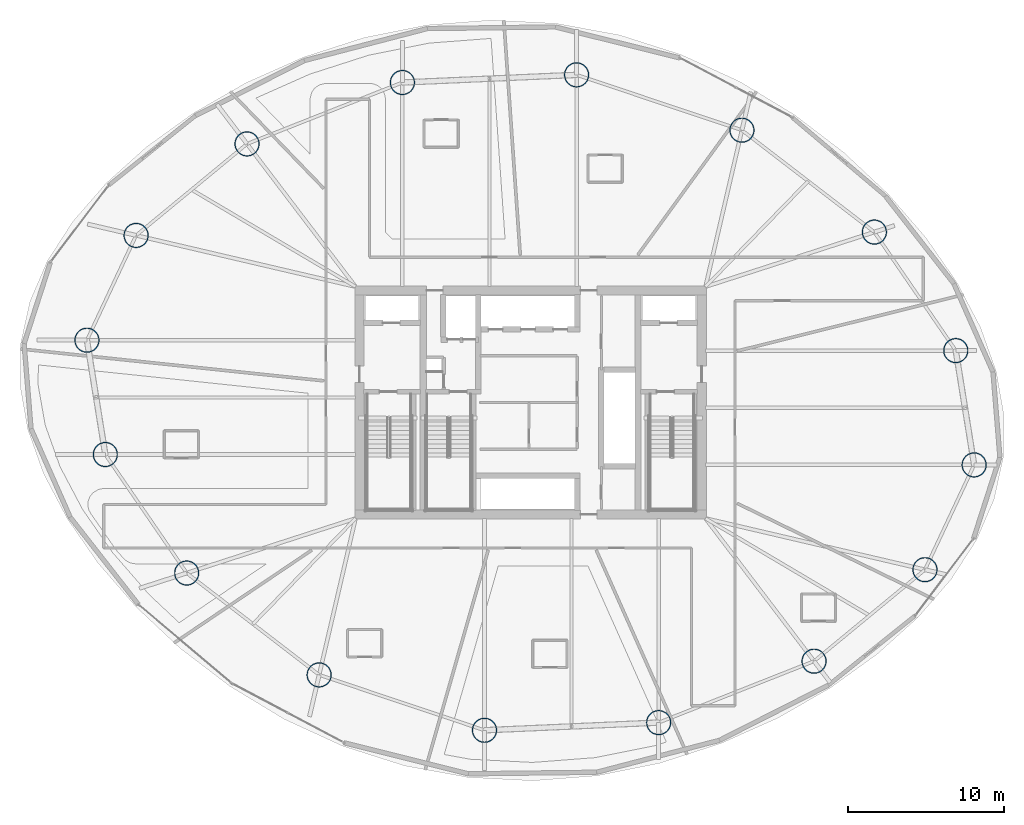
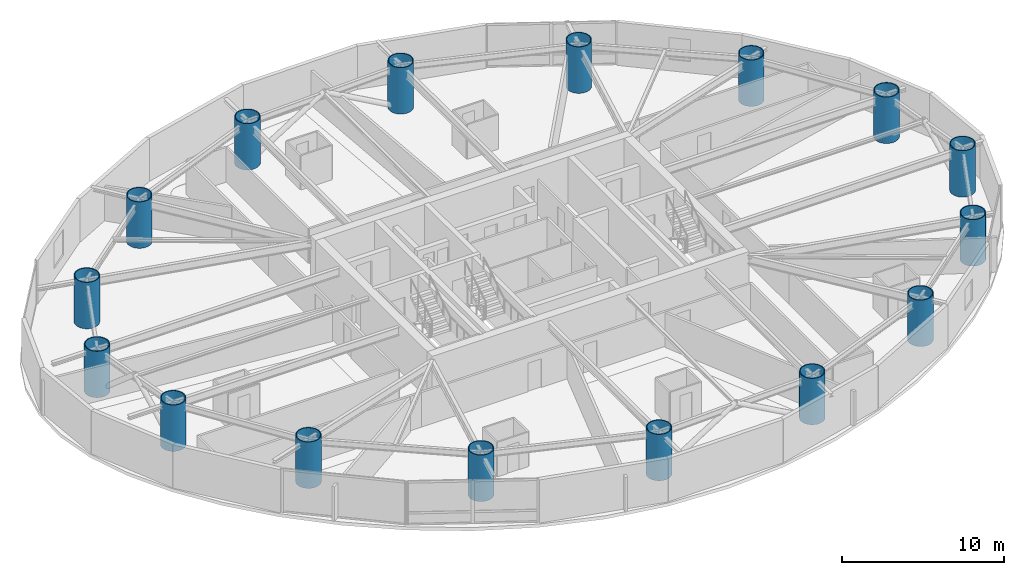
# One storey, part 1 of 19: 16 columns.
"""IFC4 building model written with IfcOpenShell, lengths in metres."""

from ifc_helpers import new_model, si_unit, direction, frame, origin, origin_2d, place, context, subcontext, project, spatial, hollow_circle, extrude, material, material_profile, profile_set, type_object, element, save


model = new_model("IFC4")

# Units and contexts
model_context = context("Model", 3, precision=1e-05, world=origin(), true_north=direction((0.0, 1.0)))
body_context = subcontext(model_context, "Body", "Model", "MODEL_VIEW")
ifc_project = project(units=[si_unit("LENGTHUNIT", "METRE"), si_unit("AREAUNIT", "SQUARE_METRE"), si_unit("VOLUMEUNIT", "CUBIC_METRE"), si_unit("PLANEANGLEUNIT", "RADIAN"), si_unit("MASSUNIT", "GRAM", prefix="KILO")], contexts=[model_context])

# Site, building, storey
site_placement = place(None, origin())
site = spatial("IfcSite", under=ifc_project, at=site_placement, CompositionType="ELEMENT")
building_placement = place(site_placement, origin())
building = spatial("IfcBuilding", under=site, at=building_placement, Name="Bramvorn Convention Spire", CompositionType="ELEMENT")
storey_placement = place(building_placement, frame((0.0, 0.0, 62.39990234375)))
storey = spatial("IfcBuildingStorey", under=building, at=storey_placement, Name="L13", CompositionType="ELEMENT", Elevation=62.39990234375)

# Columns
ifc_material = material(Name="Steel CSA G40.21 Grade 350 (350W)", Category="steel")
ifc_material_profile = material_profile(ifc_material, hollow_circle(Radius=0.800048828125, WallThickness=0.06005859375, at=origin_2d()))
ifc_profile_set = profile_set([ifc_material_profile], Name="Steel CSA G40.21 Grade 350 (350W) - CFT1600X60")
column_type = type_object("IfcColumnType", Name="COL-CFT1600X60", PredefinedType="COLUMN", material=ifc_profile_set)
for number, where, z_axis, x_axis, name in (
    (1, (66.519775390625, 21.99169921875, 0.0), (0.0, 0.0, 1.0), (1.0, 0.0, 0.0), "L13 composite CFT mega-column MC01"),
    (2, (65.338623046875, 29.340087890625, 0.0), (0.0, 0.0, 1.0), (1.0, 0.0, 0.0), "L13 composite CFT mega-column MC02"),
    (3, (60.105224609375, 36.960205078125, 0.0), (0.0, 0.0, 1.0), (1.0, 0.0, 0.0), "L13 composite CFT mega-column MC03"),
    (4, (51.59033203125, 43.509033203125, 0.0), (0.0, 0.0, 1.0), (1.0, 0.0, 0.0), "L13 composite CFT mega-column MC04"),
    (5, (40.9609375, 47.06884765625, 0.0), (0.0, 0.0, 1.0), (1.0, 0.0, 0.0), "L13 composite CFT mega-column MC05"),
    (6, (29.76220703125, 46.57666015625, 0.0), (0.0, 0.0, 1.0), (1.0, 0.0, 0.0), "L13 composite CFT mega-column MC06"),
    (7, (19.772216796875, 42.628662109375, 0.0), (0.0, 0.0, 1.0), (1.0, 0.0, 0.0), "L13 composite CFT mega-column MC07"),
    (8, (12.64111328125, 36.746337890625, 0.0), (0.0, 0.0, 1.0), (1.0, 0.0, 0.0), "L13 composite CFT mega-column MC08"),
    (9, (9.480224609375, 30.00830078125, 0.0), (0.0, 0.0, 1.0), (1.0, 0.0, 0.0), "L13 composite CFT mega-column MC09"),
    (10, (10.661376953125, 22.659912109375, 0.0), (0.0, 0.0, 1.0), (1.0, 0.0, 0.0), "L13 composite CFT mega-column MC10"),
    (11, (15.894775390625, 15.039794921875, 0.0), (0.0, 0.0, 1.0), (1.0, 0.0, 0.0), "L13 composite CFT mega-column MC11"),
    (12, (24.40966796875, 8.490966796875, 0.0), (0.0, 0.0, 1.0), (1.0, 0.0, 0.0), "L13 composite CFT mega-column MC12"),
    (13, (35.0390625, 4.93115234375, 0.0), (0.0, 0.0, 1.0), (1.0, 0.0, 0.0), "L13 composite CFT mega-column MC13"),
    (14, (46.23779296875, 5.42333984375, 0.0), (0.0, 0.0, 1.0), (1.0, 0.0, 0.0), "L13 composite CFT mega-column MC14"),
    (15, (56.227783203125, 9.371337890625, 0.0), (0.0, 0.0, 1.0), (1.0, 0.0, 0.0), "L13 composite CFT mega-column MC15"),
    (16, (63.35888671875, 15.253662109375, 0.0), (0.0, 0.0, 1.0), (1.0, 0.0, 0.0), "L13 composite CFT mega-column MC16"),
):
    element("IfcColumn", number, at=place(storey_placement, frame(where, z_axis=z_axis, x_axis=x_axis)), inside=storey, type_object=column_type, Name=name, PredefinedType="COLUMN", context=body_context, shape_type="SweptSolid", body=[
        extrude(hollow_circle(Radius=0.800048828125, WallThickness=0.06005859375, at=origin_2d()), origin(), (0.0, 0.0, 1.0), 3.5),
    ])

save(model, "model.ifc")
